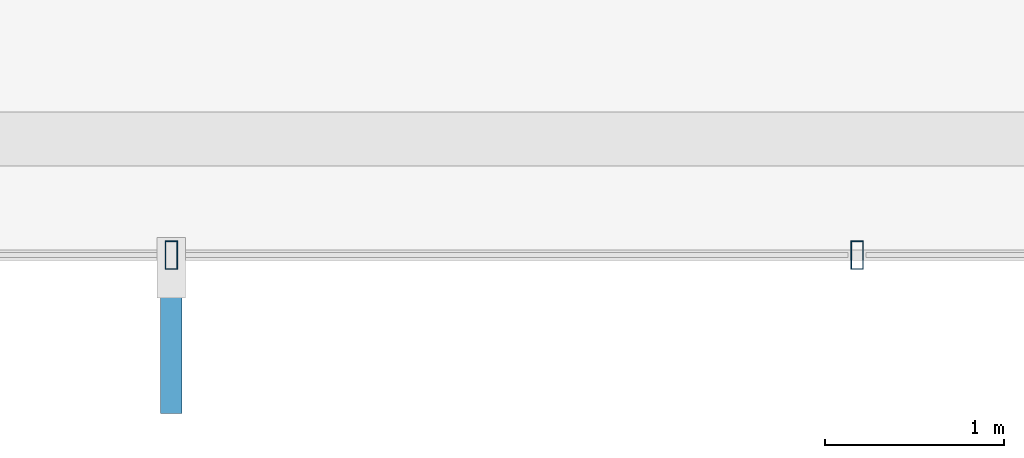
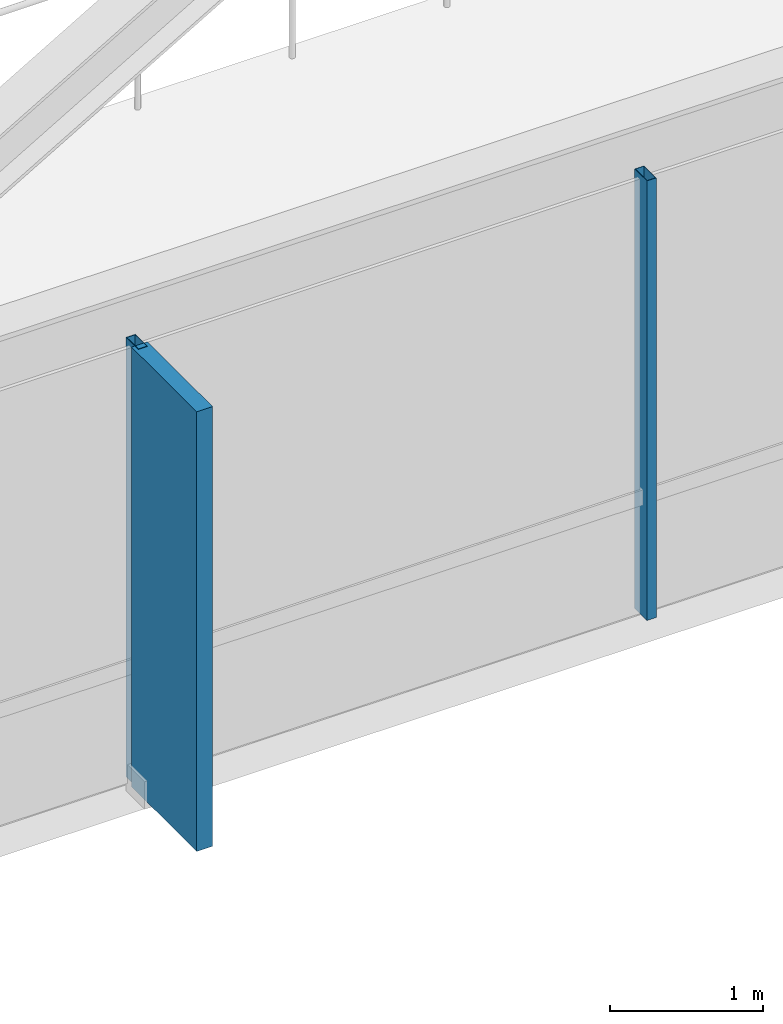
# One storey, part 6 of 28: 3 members, 1 element without a shape of its own.
"""IFC4 building model written with IfcOpenShell, lengths in metres."""

from ifc_helpers import new_model, si_unit, direction, frame, origin, origin_2d, place, context, subcontext, project, spatial, rectangle, hollow_rectangle, extrude, material, layer, layer_set, material_profile, profile_set, type_object, element, aggregate, save


model = new_model("IFC4")

# Units and contexts
model_context = context("Model", 3, precision=1e-05, world=origin(), true_north=direction((0.0, 1.0)))
body_context = subcontext(model_context, "Body", "Model", "MODEL_VIEW")
ifc_project = project(units=[si_unit("LENGTHUNIT", "METRE"), si_unit("AREAUNIT", "SQUARE_METRE"), si_unit("VOLUMEUNIT", "CUBIC_METRE"), si_unit("PLANEANGLEUNIT", "RADIAN"), si_unit("MASSUNIT", "GRAM", prefix="KILO")], contexts=[model_context])

# Site, building, storey
site_placement = place(None, origin())
site = spatial("IfcSite", under=ifc_project, at=site_placement, CompositionType="ELEMENT")
building_placement = place(site_placement, origin())
building = spatial("IfcBuilding", under=site, at=building_placement, Name="Zarrinselat Tower", CompositionType="ELEMENT")
storey_placement = place(building_placement, frame((0.0, 0.0, 164.56005859375)))
storey = spatial("IfcBuildingStorey", under=building, at=storey_placement, Name="L40", CompositionType="ELEMENT", Elevation=164.56005859375)

# Curtain wall, members
ifc_material_1 = material(Name="Extruded Aluminium Alloy EN AW-6063 T6", Category="aluminium")
ifc_layer = layer(ifc_material_1, 0.175048828125)
ifc_layer_set = layer_set([ifc_layer], Name="Extruded Aluminium Alloy EN AW-6063 T6")
curtain_wall_type = type_object("IfcCurtainWallType", Name="CWS-HTL", PredefinedType="NOTDEFINED", material=ifc_layer_set)
curtain_wall_placement = place(storey_placement, origin())
curtain_wall = element("IfcCurtainWall", 1, at=curtain_wall_placement, inside=storey, type_object=curtain_wall_type, Name="L40 Unitised Curtain Wall CW-L40-E04", PredefinedType="NOTDEFINED")
ifc_material_2 = material(Name="Extruded Aluminium Alloy EN AW-6063 T6", Category="aluminium")
ifc_material_profile_1 = material_profile(ifc_material_2, hollow_rectangle(XDim=0.070068359375, YDim=0.159912109375, WallThickness=0.00390625, at=origin_2d()), Name="RHS 160x70x4")
ifc_profile_set_1 = profile_set([ifc_material_profile_1], Name="Extruded Aluminium Alloy EN AW-6063 T6")
member_type_1 = type_object("IfcMemberType", Name="MEM-CW-MUL2", PredefinedType="MULLION", material=ifc_profile_set_1)
member_1_placement = place(storey_placement, frame((34.56884765625, 17.6533203125, 0.0), z_axis=(0.0, 0.0, 1.0), x_axis=(1.0, 0.0, 0.0)))
member_1 = element("IfcMember", 2, at=member_1_placement, type_object=member_type_1, Name="CW-L40-E04 Mullion 1", PredefinedType="MULLION", context=body_context, shape_type="SweptSolid", body=[
    extrude(hollow_rectangle(XDim=0.070068359375, YDim=0.159912109375, WallThickness=0.00390625, at=origin_2d()), origin(), (0.0, 0.0, 1.0), 3.5),
])
member_2_placement = place(storey_placement, frame((38.39990234375, 17.6533203125, 0.0), z_axis=(0.0, 0.0, 1.0), x_axis=(1.0, 0.0, 0.0)))
member_2 = element("IfcMember", 3, at=member_2_placement, type_object=member_type_1, Name="CW-L40-E04 Mullion 2", PredefinedType="MULLION", context=body_context, shape_type="SweptSolid", body=[
    extrude(hollow_rectangle(XDim=0.070068359375, YDim=0.159912109375, WallThickness=0.00390625, at=origin_2d()), origin(), (0.0, 0.0, 1.0), 3.5),
])
ifc_material_3 = material(Name="Honed Cream Travertine Stone", Category="masonry")
ifc_material_profile_2 = material_profile(ifc_material_3, rectangle(XDim=0.1201171875, YDim=0.85009765625, at=origin_2d()), Name="FIN 850x120")
ifc_profile_set_2 = profile_set([ifc_material_profile_2], Name="Honed Cream Travertine Stone")
member_type_2 = type_object("IfcMemberType", Name="MEM-STONE-FIN", PredefinedType="USERDEFINED", material=ifc_profile_set_2)
member_3_placement = place(storey_placement, frame((34.56884765625, 17.193359375, 0.0), z_axis=(0.0, 0.0, 1.0), x_axis=(-1.0, 0.0, 0.0)))
member_3 = element("IfcMember", 4, at=member_3_placement, type_object=member_type_2, Name="L40 Stone Shading Fin CW-L40-E04-01", ObjectType="FIN", PredefinedType="USERDEFINED", context=body_context, shape_type="SweptSolid", body=[
    extrude(rectangle(XDim=0.1201171875, YDim=0.85009765625, at=origin_2d()), origin(), (0.0, 0.0, 1.0), 3.5),
])
aggregate(curtain_wall, [member_1, member_3, member_2])

save(model, "model.ifc")
